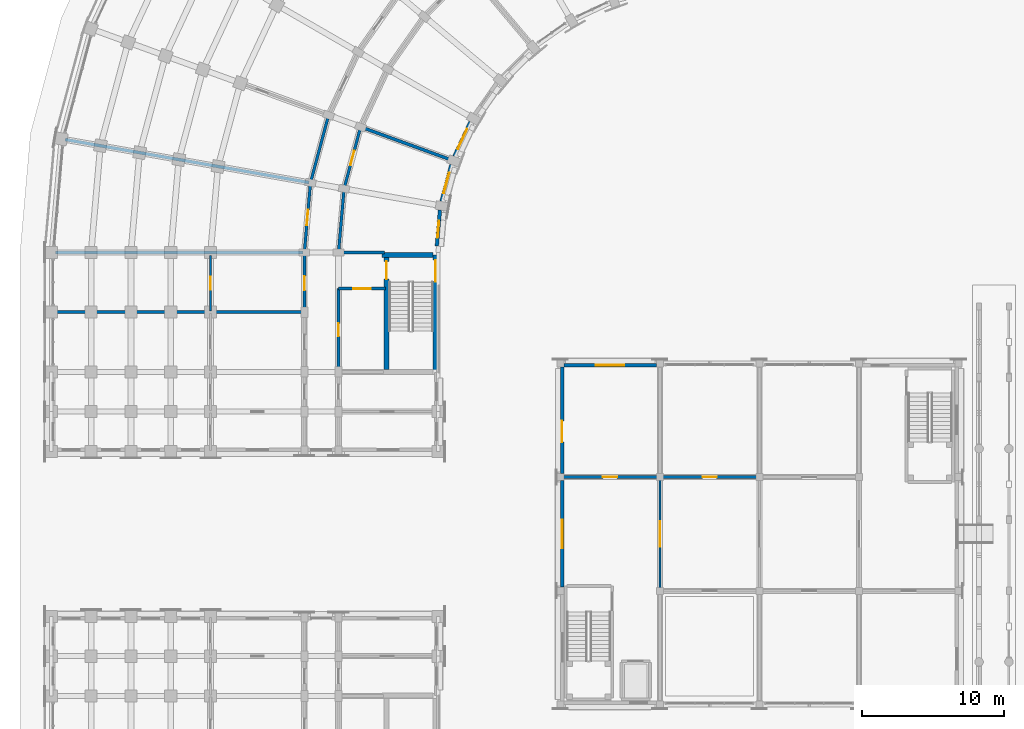
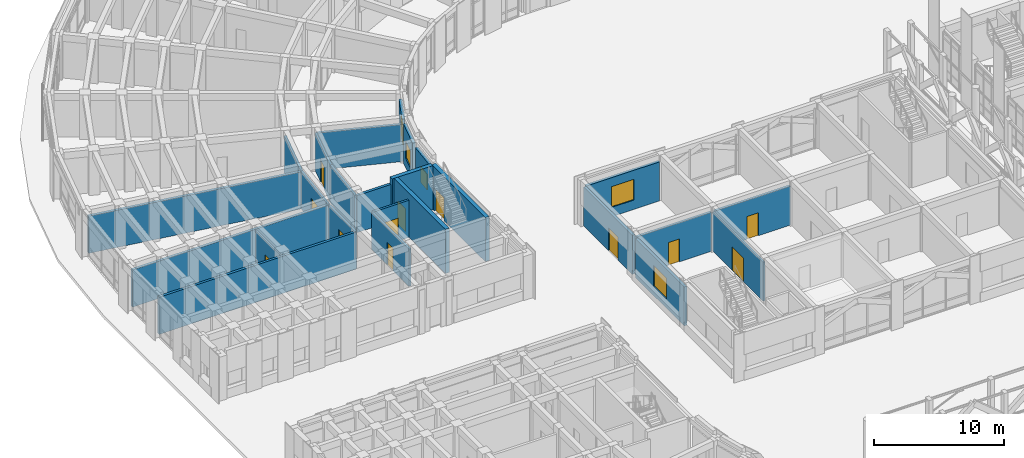
# One storey, part 98 of 135: 25 walls, 12 doors, 5 windows, 17 openings.
"""IFC4 building model written with IfcOpenShell, lengths in metres."""

from ifc_helpers import new_model, si_unit, direction, frame, frame_2d, origin, place, context, subcontext, project, spatial, rectangle, extrude, material, layer, layer_set, type_object, element, fill, save


model = new_model("IFC4")

# Units and contexts
model_context = context("Model", 3, precision=1e-05, world=origin(), true_north=direction((0.0, 1.0)))
body_context = subcontext(model_context, "Body", "Model", "MODEL_VIEW")
ifc_project = project(units=[si_unit("LENGTHUNIT", "METRE"), si_unit("AREAUNIT", "SQUARE_METRE"), si_unit("VOLUMEUNIT", "CUBIC_METRE"), si_unit("PLANEANGLEUNIT", "RADIAN"), si_unit("MASSUNIT", "GRAM", prefix="KILO")], contexts=[model_context])

# Site, building, storey
site_placement = place(None, origin())
site = spatial("IfcSite", under=ifc_project, at=site_placement, CompositionType="ELEMENT")
building_placement = place(site_placement, origin())
building = spatial("IfcBuilding", under=site, at=building_placement, Name="Kiranvali Square Residences", CompositionType="ELEMENT")
storey_placement = place(building_placement, origin())
storey = spatial("IfcBuildingStorey", under=building, at=storey_placement, Name="L00", CompositionType="ELEMENT", Elevation=0.0)

# Wall, opening, door
ifc_material_1 = material(Name="Autoclaved aerated concrete blockwork masonry", Category="masonry")
ifc_layer_1 = layer(ifc_material_1, 0.199951171875)
ifc_layer_set_1 = layer_set([ifc_layer_1], Name="Autoclaved aerated concrete blockwork masonry")
wall_type_1 = type_object("IfcWallType", Name="WL-COR-200", PredefinedType="STANDARD", material=ifc_layer_set_1)
wall_1_placement = place(storey_placement, frame((25.699951171875, 85.25, 0.0), z_axis=(0.0, 0.0, 1.0), x_axis=(-1.0, 0.0, 0.0)))
wall_1 = element("IfcWall", 1, at=wall_1_placement, inside=storey, type_object=wall_type_1, Name="L00 architectural wall WL-L00-A-S3-V", PredefinedType="STANDARD", context=body_context, shape_type="SweptSolid", body=[
    extrude(rectangle(XDim=3.300048828125, YDim=0.199951171875, at=frame_2d((1.64990234375, 0.0))), origin(), (0.0, 0.0, 1.0), 3.491943359375),
])
opening_1_placement = place(wall_1_placement, frame((1.0400390625, 0.0, 0.0)))
opening_1 = element("IfcOpeningElement", 2, at=opening_1_placement, cuts=wall_1, Name="Opening FD-COR-60", PredefinedType="OPENING", context=body_context, shape_type="SweptSolid", body=[
    extrude(rectangle(XDim=1.219970703125, YDim=2.14990234375, at=frame_2d((0.60986328125, 1.074951171875))), frame((0.0, 0.10986328125, 0.0), z_axis=(0.0, -1.0, 0.0), x_axis=(1.0, 0.0, 0.0)), (0.0, 0.0, 1.0), 0.219970703125),
])
ifc_material_2 = material(Name="Fire-rated acoustic hardwood and mineral-core door assembly", Category="wood")
door_type_1 = type_object("IfcDoorType", Name="DR-FD60-1200", OperationType="NOTDEFINED", PredefinedType="DOOR", material=ifc_material_2)
door_1_placement = place(opening_1_placement, frame((1.219970703125, 0.0, 0.0), z_axis=(0.0, 0.0, 1.0), x_axis=(-1.0, 0.0, 0.0)))
door_1 = element("IfcDoor", 3, at=door_1_placement, inside=storey, type_object=door_type_1, Name="L00 door DR-L00-0054 (DR-FD60-1200)", OperationType="SINGLE_SWING_RIGHT", OverallHeight=2.14990234375, OverallWidth=1.219970703125, PredefinedType="DOOR", context=body_context, shape_type="SweptSolid", body=[
    extrude(rectangle(XDim=1.219970703125, YDim=2.14990234375, at=frame_2d((0.60986328125, 1.074951171875))), frame((0.0, 0.02490234375, 0.0), z_axis=(0.0, -1.0, 0.0), x_axis=(1.0, 0.0, 0.0)), (0.0, 0.0, 1.0), 0.050048828125),
])
fill(opening_1, door_1)

wall_2_placement = place(storey_placement, frame((22.39990234375, 85.25, 0.0), z_axis=(0.0, 0.0, 1.0), x_axis=(0.0, -1.0, 0.0)))
wall_2 = element("IfcWall", 4, at=wall_2_placement, inside=storey, type_object=wall_type_1, Name="L00 architectural wall WL-L00-A-S3-COR", PredefinedType="STANDARD", context=body_context, shape_type="SweptSolid", body=[
    extrude(rectangle(XDim=5.800048828125, YDim=0.199951171875, at=frame_2d((2.89990234375, 0.0))), origin(), (0.0, 0.0, 1.0), 3.491943359375),
])
opening_2_placement = place(wall_2_placement, frame((2.43994140625, 0.0, 0.0)))
opening_2 = element("IfcOpeningElement", 5, at=opening_2_placement, cuts=wall_2, Name="Opening FD-SVC-120", PredefinedType="OPENING", context=body_context, shape_type="SweptSolid", body=[
    extrude(rectangle(XDim=0.919921875, YDim=2.10009765625, at=frame_2d((0.4599609375, 1.050048828125))), frame((0.0, 0.10986328125, 0.0), z_axis=(0.0, -1.0, 0.0), x_axis=(1.0, 0.0, 0.0)), (0.0, 0.0, 1.0), 0.219970703125),
])
door_type_2 = type_object("IfcDoorType", Name="DR-SVC-900", OperationType="NOTDEFINED", PredefinedType="DOOR", material=ifc_material_2)
door_2_placement = place(opening_2_placement, origin())
door_2 = element("IfcDoor", 6, at=door_2_placement, inside=storey, type_object=door_type_2, Name="L00 door DR-L00-0055 (DR-SVC-900)", OperationType="SINGLE_SWING_LEFT", OverallHeight=2.10009765625, OverallWidth=0.919921875, PredefinedType="DOOR", context=body_context, shape_type="SweptSolid", body=[
    extrude(rectangle(XDim=0.919921875, YDim=2.10009765625, at=frame_2d((0.4599609375, 1.050048828125))), frame((0.0, 0.02490234375, 0.0), z_axis=(0.0, -1.0, 0.0), x_axis=(1.0, 0.0, 0.0)), (0.0, 0.0, 1.0), 0.050048828125),
])
fill(opening_2, door_2)

wall_3_placement = place(storey_placement, frame((23.955810546875, 96.6240234375, 0.0), z_axis=(0.0, 0.0, 1.0), x_axis=(-0.258787642463, -0.965934240054, 0.0)))
wall_3 = element("IfcWall", 7, at=wall_3_placement, inside=storey, type_object=wall_type_1, Name="L00 architectural wall WL-L00-A-CCI-7", PredefinedType="STANDARD", context=body_context, shape_type="SweptSolid", body=[
    extrude(rectangle(XDim=4.497314453125, YDim=0.199951171875, at=frame_2d((2.24853515625, 0.0))), origin(), (0.0, 0.0, 1.0), 3.491943359375),
])
opening_3_placement = place(wall_3_placement, frame((1.728515625, 0.0, 0.0)))
opening_3 = element("IfcOpeningElement", 8, at=opening_3_placement, cuts=wall_3, Name="Opening FD-APT-60B", PredefinedType="OPENING", context=body_context, shape_type="SweptSolid", body=[
    extrude(rectangle(XDim=1.0400390625, YDim=2.14990234375, at=frame_2d((0.52001953125, 1.074951171875))), frame((0.0, 0.10986328125, 0.0), z_axis=(0.0, -1.0, 0.0), x_axis=(1.0, 0.0, 0.0)), (0.0, 0.0, 1.0), 0.219970703125),
])
door_type_3 = type_object("IfcDoorType", Name="DR-APT-1040", OperationType="NOTDEFINED", PredefinedType="DOOR", material=ifc_material_2)
door_3_placement = place(opening_3_placement, origin())
door_3 = element("IfcDoor", 9, at=door_3_placement, inside=storey, type_object=door_type_3, Name="L00 door DR-L00-0085 (DR-APT-1040)", OperationType="SINGLE_SWING_LEFT", OverallHeight=2.14990234375, OverallWidth=1.0400390625, PredefinedType="DOOR", context=body_context, shape_type="SweptSolid", body=[
    extrude(rectangle(XDim=1.0400390625, YDim=2.14990234375, at=frame_2d((0.52001953125, 1.074951171875))), frame((0.0, 0.02490234375, 0.0), z_axis=(0.0, -1.0, 0.0), x_axis=(1.0, 0.0, 0.0)), (0.0, 0.0, 1.0), 0.050048828125),
])
fill(opening_3, door_3)

# Walls
wall_4_placement = place(storey_placement, frame((21.70068359375, 97.445068359375, 0.0), z_axis=(0.0, 0.0, 1.0), x_axis=(-0.258803112091, -0.965930095386, 0.0)))
element("IfcWall", 10, at=wall_4_placement, inside=storey, type_object=wall_type_1, Name="L00 architectural wall WL-L00-A-CCO-7", PredefinedType="STANDARD", context=body_context, shape_type="SweptSolid", body=[
    extrude(rectangle(XDim=4.915771484375, YDim=0.199951171875, at=frame_2d((2.4580078125, 0.0))), origin(), (0.0, 0.0, 1.0), 3.491943359375),
])
wall_5_placement = place(storey_placement, frame((22.7919921875, 92.280029296875, 0.0), z_axis=(0.0, 0.0, 1.0), x_axis=(-0.087187153726, -0.996191949488, 0.0)))
element("IfcWall", 11, at=wall_5_placement, inside=storey, type_object=wall_type_1, Name="L00 architectural wall WL-L00-A-CCI-8", PredefinedType="STANDARD", context=body_context, shape_type="SweptSolid", body=[
    extrude(rectangle(XDim=4.4970703125, YDim=0.199951171875, at=frame_2d((2.24853515625, 0.0))), origin(), (0.0, 0.0, 1.0), 3.491943359375),
])

# Wall, opening, door
wall_6_placement = place(storey_placement, frame((20.428466796875, 92.69677734375, 0.0), z_axis=(0.0, 0.0, 1.0), x_axis=(-0.087167566415, -0.996193663584, 0.0)))
wall_6 = element("IfcWall", 12, at=wall_6_placement, inside=storey, type_object=wall_type_1, Name="L00 architectural wall WL-L00-A-CCO-8", PredefinedType="STANDARD", context=body_context, shape_type="SweptSolid", body=[
    extrude(rectangle(XDim=4.91552734375, YDim=0.199951171875, at=frame_2d((2.457763671875, 0.0))), origin(), (0.0, 0.0, 1.0), 3.491943359375),
])
opening_4_placement = place(wall_6_placement, frame((1.917724609375, 0.0, 0.0)))
opening_4 = element("IfcOpeningElement", 13, at=opening_4_placement, cuts=wall_6, Name="Opening FD-APT-60C", PredefinedType="OPENING", context=body_context, shape_type="SweptSolid", body=[
    extrude(rectangle(XDim=1.080078125, YDim=2.14990234375, at=frame_2d((0.5400390625, 1.074951171875))), frame((0.0, 0.10986328125, 0.0), z_axis=(0.0, -1.0, 0.0), x_axis=(1.0, 0.0, 0.0)), (0.0, 0.0, 1.0), 0.219970703125),
])
door_type_4 = type_object("IfcDoorType", Name="DR-APT-1080", OperationType="NOTDEFINED", PredefinedType="DOOR", material=ifc_material_2)
door_4_placement = place(opening_4_placement, origin())
door_4 = element("IfcDoor", 14, at=door_4_placement, inside=storey, type_object=door_type_4, Name="L00 door DR-L00-0081 (DR-APT-1080)", OperationType="SINGLE_SWING_LEFT", OverallHeight=2.14990234375, OverallWidth=1.080078125, PredefinedType="DOOR", context=body_context, shape_type="SweptSolid", body=[
    extrude(rectangle(XDim=1.080078125, YDim=2.14990234375, at=frame_2d((0.5400390625, 1.074951171875))), frame((0.0, 0.02490234375, 0.0), z_axis=(0.0, -1.0, 0.0), x_axis=(1.0, 0.0, 0.0)), (0.0, 0.0, 1.0), 0.050048828125),
])
fill(opening_4, door_4)

wall_7_placement = place(storey_placement, frame((20.0, 87.64990234375, 0.0), z_axis=(0.0, 0.0, 1.0), x_axis=(0.0, -1.0, 0.0)))
wall_7 = element("IfcWall", 15, at=wall_7_placement, inside=storey, type_object=wall_type_1, Name="L00 architectural wall WL-L00-A-A2CF-C0", PredefinedType="STANDARD", context=body_context, shape_type="SweptSolid", body=[
    extrude(rectangle(XDim=4.0498046875, YDim=0.199951171875, at=frame_2d((2.02490234375, 0.0))), origin(), (0.0, 0.0, 1.0), 3.491943359375),
])
opening_5_placement = place(wall_7_placement, frame((1.52490234375, 0.0, 0.0)))
opening_5 = element("IfcOpeningElement", 16, at=opening_5_placement, cuts=wall_7, Name="Opening FD-APT-60", PredefinedType="OPENING", context=body_context, shape_type="SweptSolid", body=[
    extrude(rectangle(XDim=1.0, YDim=2.14990234375, at=frame_2d((0.5, 1.074951171875))), frame((0.0, 0.10986328125, 0.0), z_axis=(0.0, -1.0, 0.0), x_axis=(1.0, 0.0, 0.0)), (0.0, 0.0, 1.0), 0.219970703125),
])
door_type_5 = type_object("IfcDoorType", Name="DR-APT-1000", OperationType="NOTDEFINED", PredefinedType="DOOR", material=ifc_material_2)
door_5_placement = place(opening_5_placement, frame((1.0, 0.0, 0.0), z_axis=(0.0, 0.0, 1.0), x_axis=(-1.0, 0.0, 0.0)))
door_5 = element("IfcDoor", 17, at=door_5_placement, inside=storey, type_object=door_type_5, Name="L00 door DR-L00-0086 (DR-APT-1000)", OperationType="SINGLE_SWING_RIGHT", OverallHeight=2.14990234375, OverallWidth=1.0, PredefinedType="DOOR", context=body_context, shape_type="SweptSolid", body=[
    extrude(rectangle(XDim=1.0, YDim=2.14990234375, at=frame_2d((0.5, 1.074951171875))), frame((0.0, 0.02490234375, 0.0), z_axis=(0.0, -1.0, 0.0), x_axis=(1.0, 0.0, 0.0)), (0.0, 0.0, 1.0), 0.050048828125),
])
fill(opening_5, door_5)

wall_8_placement = place(storey_placement, frame((38.14990234375, 72.0, 0.0), z_axis=(0.0, 0.0, 1.0), x_axis=(1.0, 0.0, 0.0)))
wall_8 = element("IfcWall", 18, at=wall_8_placement, inside=storey, type_object=wall_type_1, Name="L00 architectural wall WL-NR-L00-Y1-0", PredefinedType="STANDARD", context=body_context, shape_type="SweptSolid", body=[
    extrude(rectangle(XDim=6.7001953125, YDim=0.199951171875, at=frame_2d((3.35009765625, 0.0))), origin(), (0.0, 0.0, 1.0), 3.672119140625),
])
opening_6_placement = place(wall_8_placement, frame((2.85009765625, 0.0, 0.0)))
opening_6 = element("IfcOpeningElement", 19, at=opening_6_placement, cuts=wall_8, Name="Opening FD-APT-60", PredefinedType="OPENING", context=body_context, shape_type="SweptSolid", body=[
    extrude(rectangle(XDim=1.0, YDim=2.14990234375, at=frame_2d((0.5, 1.074951171875))), frame((0.0, 0.10986328125, 0.0), z_axis=(0.0, -1.0, 0.0), x_axis=(1.0, 0.0, 0.0)), (0.0, 0.0, 1.0), 0.219970703125),
])
door_6_placement = place(opening_6_placement, origin())
door_6 = element("IfcDoor", 20, at=door_6_placement, inside=storey, type_object=door_type_5, Name="L00 door DR-L00-2313 (DR-APT-1000)", OperationType="SINGLE_SWING_LEFT", OverallHeight=2.14990234375, OverallWidth=1.0, PredefinedType="DOOR", context=body_context, shape_type="SweptSolid", body=[
    extrude(rectangle(XDim=1.0, YDim=2.14990234375, at=frame_2d((0.5, 1.074951171875))), frame((0.0, 0.02490234375, 0.0), z_axis=(0.0, -1.0, 0.0), x_axis=(1.0, 0.0, 0.0)), (0.0, 0.0, 1.0), 0.050048828125),
])
fill(opening_6, door_6)

wall_9_placement = place(storey_placement, frame((45.14990234375, 72.0, 0.0), z_axis=(0.0, 0.0, 1.0), x_axis=(1.0, 0.0, 0.0)))
wall_9 = element("IfcWall", 21, at=wall_9_placement, inside=storey, type_object=wall_type_1, Name="L00 architectural wall WL-NR-L00-Y1-1", PredefinedType="STANDARD", context=body_context, shape_type="SweptSolid", body=[
    extrude(rectangle(XDim=6.7001953125, YDim=0.199951171875, at=frame_2d((3.35009765625, 0.0))), origin(), (0.0, 0.0, 1.0), 3.672119140625),
])
opening_7_placement = place(wall_9_placement, frame((2.85009765625, 0.0, 0.0)))
opening_7 = element("IfcOpeningElement", 22, at=opening_7_placement, cuts=wall_9, Name="Opening FD-APT-60", PredefinedType="OPENING", context=body_context, shape_type="SweptSolid", body=[
    extrude(rectangle(XDim=1.0, YDim=2.14990234375, at=frame_2d((0.5, 1.074951171875))), frame((0.0, 0.10986328125, 0.0), z_axis=(0.0, -1.0, 0.0), x_axis=(1.0, 0.0, 0.0)), (0.0, 0.0, 1.0), 0.219970703125),
])
door_7_placement = place(opening_7_placement, frame((1.0, 0.0, 0.0), z_axis=(0.0, 0.0, 1.0), x_axis=(-1.0, 0.0, 0.0)))
door_7 = element("IfcDoor", 23, at=door_7_placement, inside=storey, type_object=door_type_5, Name="L00 door DR-L00-2314 (DR-APT-1000)", OperationType="SINGLE_SWING_RIGHT", OverallHeight=2.14990234375, OverallWidth=1.0, PredefinedType="DOOR", context=body_context, shape_type="SweptSolid", body=[
    extrude(rectangle(XDim=1.0, YDim=2.14990234375, at=frame_2d((0.5, 1.074951171875))), frame((0.0, 0.02490234375, 0.0), z_axis=(0.0, -1.0, 0.0), x_axis=(1.0, 0.0, 0.0)), (0.0, 0.0, 1.0), 0.050048828125),
])
fill(opening_7, door_7)

# Walls
ifc_layer_2 = layer(ifc_material_1, 0.219970703125)
ifc_layer_set_2 = layer_set([ifc_layer_2], Name="Autoclaved aerated concrete blockwork masonry")
wall_type_2 = type_object("IfcWallType", Name="WL-DEM-220", PredefinedType="STANDARD", material=ifc_layer_set_2)
wall_10_placement = place(storey_placement, frame((30.345947265625, 94.29833984375, 0.0), z_axis=(0.0, 0.0, 1.0), x_axis=(-0.939696231917, 0.342010221662, 0.0)))
element("IfcWall", 24, at=wall_10_placement, inside=storey, type_object=wall_type_2, Name="L00 architectural wall WL-L00-A-RADI-7", PredefinedType="STANDARD", context=body_context, shape_type="SweptSolid", body=[
    extrude(rectangle(XDim=6.75, YDim=0.219970703125, at=frame_2d((3.375, 0.0))), origin(), (0.0, 0.0, 1.0), 3.491943359375),
])
wall_11_placement = place(storey_placement, frame((25.64990234375, 87.800048828125, 0.0), z_axis=(0.0, 0.0, 1.0), x_axis=(-1.0, 0.0, 0.0)))
element("IfcWall", 25, at=wall_11_placement, inside=storey, type_object=wall_type_2, Name="L00 architectural wall WL-L00-A-RADI-9", PredefinedType="STANDARD", context=body_context, shape_type="SweptSolid", body=[
    extrude(rectangle(XDim=3.199951171875, YDim=0.219970703125, at=frame_2d((1.60009765625, 0.0))), origin(), (0.0, 0.0, 1.0), 3.491943359375),
])
wall_12_placement = place(storey_placement, frame((19.949951171875, 83.60009765625, 0.0), z_axis=(0.0, 0.0, 1.0), x_axis=(-1.0, 0.0, 0.0)))
element("IfcWall", 26, at=wall_12_placement, inside=storey, type_object=wall_type_2, Name="L00 architectural wall WL-L00-A-A2CF-MID", PredefinedType="STANDARD", context=body_context, shape_type="SweptSolid", body=[
    extrude(rectangle(XDim=17.530029296875, YDim=0.219970703125, at=frame_2d((8.76513671875, 0.0))), origin(), (0.0, 0.0, 1.0), 3.491943359375),
])
ifc_layer_3 = layer(ifc_material_1, 0.22998046875)
ifc_layer_set_3 = layer_set([ifc_layer_3], Name="Autoclaved aerated concrete blockwork masonry")
wall_type_3 = type_object("IfcWallType", Name="WL-DEM-230", PredefinedType="STANDARD", material=ifc_layer_set_3)
for number, where, z_axis, x_axis, name in (
    (27, (20.329833984375, 92.71435546875, 0.0), (0.0, 0.0, 1.0), (-0.984808098809, 0.173646216546, 0.0), "L00 architectural wall WL-L00-A-RADO-8"),
    (28, (19.89990234375, 87.800048828125, 0.0), (0.0, 0.0, 1.0), (-1.0, 0.0, 0.0), "L00 architectural wall WL-L00-A-RADO-9"),
):
    element("IfcWall", number, at=place(storey_placement, frame(where, z_axis=z_axis, x_axis=x_axis)), inside=storey, type_object=wall_type_3, Name=name, PredefinedType="STANDARD", context=body_context, shape_type="SweptSolid", body=[
        extrude(rectangle(XDim=17.419921875, YDim=0.22998046875, at=frame_2d((8.7099609375, 0.0))), origin(), (0.0, 0.0, 1.0), 3.491943359375),
    ])

# Wall, opening, window
ifc_material_3 = material(Name="Breathable lime-rendered clay brick masonry", Category="masonry")
ifc_layer_4 = layer(ifc_material_3, 0.25)
ifc_layer_set_4 = layer_set([ifc_layer_4], Name="Breathable lime-rendered clay brick masonry")
wall_type_4 = type_object("IfcWallType", Name="WL-EXT-250", PredefinedType="STANDARD", material=ifc_layer_set_4)
wall_13_placement = place(storey_placement, frame((31.677001953125, 96.9775390625, 0.0), z_axis=(0.0, 0.0, 1.0), x_axis=(-0.422610081738, -0.90631160139, 0.0)))
wall_13 = element("IfcWall", 29, at=wall_13_placement, inside=storey, type_object=wall_type_4, Name="L00 exterior wall A-L00-GDN-06", PredefinedType="STANDARD", context=body_context, shape_type="SweptSolid", body=[
    extrude(rectangle(XDim=2.66943359375, YDim=0.25, at=frame_2d((1.334716796875, 0.0))), origin(), (0.0, 0.0, 1.0), 3.69189453125),
])
opening_8_placement = place(wall_13_placement, frame((0.559814453125, 0.0, 0.8798828125)))
opening_8 = element("IfcOpeningElement", 30, at=opening_8_placement, cuts=wall_13, Name="Opening W-18", PredefinedType="OPENING", context=body_context, shape_type="SweptSolid", body=[
    extrude(rectangle(XDim=1.550048828125, YDim=1.60009765625, at=frame_2d((0.77490234375, 0.800048828125))), frame((0.0, 0.135009765625, 0.0), z_axis=(0.0, -1.0, 0.0), x_axis=(1.0, 0.0, 0.0)), (0.0, 0.0, 1.0), 0.27001953125),
])
ifc_material_4 = material(Name="Solar-control low-e double glazing", Category="glass")
window_type_1 = type_object("IfcWindowType", Name="WIN-GDN-1550x1600", PartitioningType="DOUBLE_PANEL_VERTICAL", PredefinedType="WINDOW", material=ifc_material_4)
window_1_placement = place(opening_8_placement, origin())
window_1 = element("IfcWindow", 31, at=window_1_placement, inside=storey, type_object=window_type_1, Name="L00 recessed window A-L00-GDN-06", OverallHeight=1.60009765625, OverallWidth=1.550048828125, PartitioningType="DOUBLE_PANEL_VERTICAL", PredefinedType="WINDOW", context=body_context, shape_type="SweptSolid", body=[
    extrude(rectangle(XDim=1.550048828125, YDim=1.60009765625, at=frame_2d((0.77490234375, 0.800048828125))), frame((0.0, 0.030029296875, 0.0), z_axis=(0.0, -1.0, 0.0), x_axis=(1.0, 0.0, 0.0)), (0.0, 0.0, 1.0), 0.06005859375),
])
fill(opening_8, window_1)

wall_14_placement = place(storey_placement, frame((30.33447265625, 93.968994140625, 0.0), z_axis=(0.0, 0.0, 1.0), x_axis=(-0.258812272661, -0.965927640934, 0.0)))
wall_14 = element("IfcWall", 32, at=wall_14_placement, inside=storey, type_object=wall_type_4, Name="L00 exterior wall A-L00-GDN-07", PredefinedType="STANDARD", context=body_context, shape_type="SweptSolid", body=[
    extrude(rectangle(XDim=2.669677734375, YDim=0.25, at=frame_2d((1.3349609375, 0.0))), origin(), (0.0, 0.0, 1.0), 3.69189453125),
])
opening_9_placement = place(wall_14_placement, frame((0.584716796875, 0.0, 0.8798828125)))
opening_9 = element("IfcOpeningElement", 33, at=opening_9_placement, cuts=wall_14, Name="Opening W-05", PredefinedType="OPENING", context=body_context, shape_type="SweptSolid", body=[
    extrude(rectangle(XDim=1.5, YDim=1.64990234375, at=frame_2d((0.75, 0.824951171875))), frame((0.0, 0.135009765625, 0.0), z_axis=(0.0, -1.0, 0.0), x_axis=(1.0, 0.0, 0.0)), (0.0, 0.0, 1.0), 0.27001953125),
])
window_type_2 = type_object("IfcWindowType", Name="WIN-RES-1500x1650", PartitioningType="DOUBLE_PANEL_VERTICAL", PredefinedType="WINDOW", material=ifc_material_4)
window_2_placement = place(opening_9_placement, origin())
window_2 = element("IfcWindow", 34, at=window_2_placement, inside=storey, type_object=window_type_2, Name="L00 recessed window A-L00-GDN-07", OverallHeight=1.64990234375, OverallWidth=1.5, PartitioningType="DOUBLE_PANEL_VERTICAL", PredefinedType="WINDOW", context=body_context, shape_type="SweptSolid", body=[
    extrude(rectangle(XDim=1.5, YDim=1.64990234375, at=frame_2d((0.75, 0.824951171875))), frame((0.0, 0.030029296875, 0.0), z_axis=(0.0, -1.0, 0.0), x_axis=(1.0, 0.0, 0.0)), (0.0, 0.0, 1.0), 0.06005859375),
])
fill(opening_9, window_2)

wall_15_placement = place(storey_placement, frame((29.53466796875, 90.77294921875, 0.0), z_axis=(0.0, 0.0, 1.0), x_axis=(-0.087215965161, -0.996189427479, 0.0)))
wall_15 = element("IfcWall", 35, at=wall_15_placement, inside=storey, type_object=wall_type_4, Name="L00 exterior wall A-L00-GDN-08", PredefinedType="STANDARD", context=body_context, shape_type="SweptSolid", body=[
    extrude(rectangle(XDim=2.533447265625, YDim=0.25, at=frame_2d((1.2666015625, 0.0))), origin(), (0.0, 0.0, 1.0), 3.69189453125),
])
opening_10_placement = place(wall_15_placement, frame((0.73486328125, 0.0, 0.8798828125)))
opening_10 = element("IfcOpeningElement", 36, at=opening_10_placement, cuts=wall_15, Name="Opening W-06", PredefinedType="OPENING", context=body_context, shape_type="SweptSolid", body=[
    extrude(rectangle(XDim=1.199951171875, YDim=1.5, at=frame_2d((0.60009765625, 0.75))), frame((0.0, 0.135009765625, 0.0), z_axis=(0.0, -1.0, 0.0), x_axis=(1.0, 0.0, 0.0)), (0.0, 0.0, 1.0), 0.27001953125),
])
window_type_3 = type_object("IfcWindowType", Name="WIN-RES-1200x1500", PartitioningType="SINGLE_PANEL", PredefinedType="WINDOW", material=ifc_material_4)
window_3_placement = place(opening_10_placement, origin())
window_3 = element("IfcWindow", 37, at=window_3_placement, inside=storey, type_object=window_type_3, Name="L00 recessed window A-L00-GDN-08", OverallHeight=1.5, OverallWidth=1.199951171875, PartitioningType="SINGLE_PANEL", PredefinedType="WINDOW", context=body_context, shape_type="SweptSolid", body=[
    extrude(rectangle(XDim=1.199951171875, YDim=1.5, at=frame_2d((0.60009765625, 0.75))), frame((0.0, 0.030029296875, 0.0), z_axis=(0.0, -1.0, 0.0), x_axis=(1.0, 0.0, 0.0)), (0.0, 0.0, 1.0), 0.06005859375),
])
fill(opening_10, window_3)

wall_16_placement = place(storey_placement, frame((38.25341796875, 79.875, 0.0), z_axis=(0.0, 0.0, 1.0), x_axis=(1.0, 0.0, 0.0)))
wall_16 = element("IfcWall", 38, at=wall_16_placement, inside=storey, type_object=wall_type_4, Name="L00 exterior wall NR-L00-N-0", PredefinedType="STANDARD", context=body_context, shape_type="SweptSolid", body=[
    extrude(rectangle(XDim=6.4931640625, YDim=0.25, at=frame_2d((3.24658203125, 0.0))), origin(), (0.0, 0.0, 1.0), 3.672119140625),
])
opening_11_placement = place(wall_16_placement, frame((2.24658203125, 0.0, 0.8798828125)))
opening_11 = element("IfcOpeningElement", 39, at=opening_11_placement, cuts=wall_16, Name="Opening W-08", PredefinedType="OPENING", context=body_context, shape_type="SweptSolid", body=[
    extrude(rectangle(XDim=2.0, YDim=1.949951171875, at=frame_2d((1.0, 0.97509765625))), frame((0.0, 0.135009765625, 0.0), z_axis=(0.0, -1.0, 0.0), x_axis=(1.0, 0.0, 0.0)), (0.0, 0.0, 1.0), 0.27001953125),
])
window_type_4 = type_object("IfcWindowType", Name="WIN-PAV-2000x1950", PartitioningType="TRIPLE_PANEL_VERTICAL", PredefinedType="WINDOW", material=ifc_material_4)
window_4_placement = place(opening_11_placement, origin())
window_4 = element("IfcWindow", 40, at=window_4_placement, inside=storey, type_object=window_type_4, Name="L00 recessed window NR-L00-N-0", OverallHeight=1.949951171875, OverallWidth=2.0, PartitioningType="TRIPLE_PANEL_VERTICAL", PredefinedType="WINDOW", context=body_context, shape_type="SweptSolid", body=[
    extrude(rectangle(XDim=2.0, YDim=1.949951171875, at=frame_2d((1.0, 0.97509765625))), frame((0.0, 0.030029296875, 0.0), z_axis=(0.0, -1.0, 0.0), x_axis=(1.0, 0.0, 0.0)), (0.0, 0.0, 1.0), 0.06005859375),
])
fill(opening_11, window_4)

wall_17_placement = place(storey_placement, frame((38.125, 64.25341796875, 0.0), z_axis=(0.0, 0.0, 1.0), x_axis=(0.0, 1.0, 0.0)))
wall_17 = element("IfcWall", 41, at=wall_17_placement, inside=storey, type_object=wall_type_4, Name="L00 exterior wall NR-L00-W-1", PredefinedType="STANDARD", context=body_context, shape_type="SweptSolid", body=[
    extrude(rectangle(XDim=7.4931640625, YDim=0.25, at=frame_2d((3.74658203125, 0.0))), origin(), (0.0, 0.0, 1.0), 3.672119140625),
])
opening_12_placement = place(wall_17_placement, frame((2.74658203125, 0.0, 0.8798828125)))
opening_12 = element("IfcOpeningElement", 42, at=opening_12_placement, cuts=wall_17, Name="Opening W-08", PredefinedType="OPENING", context=body_context, shape_type="SweptSolid", body=[
    extrude(rectangle(XDim=2.0, YDim=1.949951171875, at=frame_2d((1.0, 0.97509765625))), frame((0.0, 0.135009765625, 0.0), z_axis=(0.0, -1.0, 0.0), x_axis=(1.0, 0.0, 0.0)), (0.0, 0.0, 1.0), 0.27001953125),
])
window_5_placement = place(opening_12_placement, origin())
window_5 = element("IfcWindow", 43, at=window_5_placement, inside=storey, type_object=window_type_4, Name="L00 recessed window NR-L00-W-1", OverallHeight=1.949951171875, OverallWidth=2.0, PartitioningType="TRIPLE_PANEL_VERTICAL", PredefinedType="WINDOW", context=body_context, shape_type="SweptSolid", body=[
    extrude(rectangle(XDim=2.0, YDim=1.949951171875, at=frame_2d((1.0, 0.97509765625))), frame((0.0, 0.030029296875, 0.0), z_axis=(0.0, -1.0, 0.0), x_axis=(1.0, 0.0, 0.0)), (0.0, 0.0, 1.0), 0.06005859375),
])
fill(opening_12, window_5)

# Wall, opening, door
wall_18_placement = place(storey_placement, frame((38.125, 72.25341796875, 0.0), z_axis=(0.0, 0.0, 1.0), x_axis=(0.0, 1.0, 0.0)))
wall_18 = element("IfcWall", 44, at=wall_18_placement, inside=storey, type_object=wall_type_4, Name="L00 exterior wall NR-L00-W-2", PredefinedType="STANDARD", context=body_context, shape_type="SweptSolid", body=[
    extrude(rectangle(XDim=7.4931640625, YDim=0.25, at=frame_2d((3.74658203125, 0.0))), origin(), (0.0, 0.0, 1.0), 3.672119140625),
])
opening_13_placement = place(wall_18_placement, frame((2.199951171875, 0.0, 0.0)))
opening_13 = element("IfcOpeningElement", 45, at=opening_13_placement, cuts=wall_18, Name="Opening ED-EX-150", PredefinedType="OPENING", context=body_context, shape_type="SweptSolid", body=[
    extrude(rectangle(XDim=1.5, YDim=2.14990234375, at=frame_2d((0.75, 1.074951171875))), frame((0.0, 0.135009765625, 0.0), z_axis=(0.0, -1.0, 0.0), x_axis=(1.0, 0.0, 0.0)), (0.0, 0.0, 1.0), 0.27001953125),
])
door_type_6 = type_object("IfcDoorType", Name="DR-EXIT-1500", OperationType="NOTDEFINED", PredefinedType="DOOR", material=ifc_material_2)
door_8_placement = place(opening_13_placement, origin())
door_8 = element("IfcDoor", 46, at=door_8_placement, inside=storey, type_object=door_type_6, Name="NR pavilion ground final exit door", OperationType="SINGLE_SWING_RIGHT", OverallHeight=2.14990234375, OverallWidth=1.5, PredefinedType="DOOR", context=body_context, shape_type="SweptSolid", body=[
    extrude(rectangle(XDim=1.5, YDim=2.14990234375, at=frame_2d((0.75, 1.074951171875))), frame((0.0, 0.02490234375, 0.0), z_axis=(0.0, -1.0, 0.0), x_axis=(1.0, 0.0, 0.0)), (0.0, 0.0, 1.0), 0.050048828125),
])
fill(opening_13, door_8)

ifc_material_5 = material(Name="Acoustic gypsum board drylined partition", Category="gypsum")
ifc_layer_5 = layer(ifc_material_5, 0.14990234375)
ifc_layer_set_5 = layer_set([ifc_layer_5], Name="Acoustic gypsum board drylined partition")
wall_type_5 = type_object("IfcWallType", Name="WL-PRT-150", PredefinedType="PARTITIONING", material=ifc_layer_set_5)
wall_19_placement = place(storey_placement, frame((13.39990234375, 87.570068359375, 0.0), z_axis=(0.0, 0.0, 1.0), x_axis=(0.0, -1.0, 0.0)))
wall_19 = element("IfcWall", 47, at=wall_19_placement, inside=storey, type_object=wall_type_5, Name="L00 architectural wall WL-L00-A-A2CF-SP0", PredefinedType="PARTITIONING", context=body_context, shape_type="SweptSolid", body=[
    extrude(rectangle(XDim=3.89013671875, YDim=0.14990234375, at=frame_2d((1.945068359375, 0.0))), origin(), (0.0, 0.0, 1.0), 3.491943359375),
])
opening_14_placement = place(wall_19_placement, frame((1.4951171875, 0.0, 0.0)))
opening_14 = element("IfcOpeningElement", 48, at=opening_14_placement, cuts=wall_19, Name="Opening ID-1", PredefinedType="OPENING", context=body_context, shape_type="SweptSolid", body=[
    extrude(rectangle(XDim=0.89990234375, YDim=2.10009765625, at=frame_2d((0.449951171875, 1.050048828125))), frame((0.0, 0.0849609375, 0.0), z_axis=(0.0, -1.0, 0.0), x_axis=(1.0, 0.0, 0.0)), (0.0, 0.0, 1.0), 0.169921875),
])
ifc_material_6 = material(Name="Solid seasoned teak hardwood joinery", Category="wood")
door_type_7 = type_object("IfcDoorType", Name="DR-INT-900", OperationType="NOTDEFINED", PredefinedType="DOOR", material=ifc_material_6)
door_9_placement = place(opening_14_placement, origin())
door_9 = element("IfcDoor", 49, at=door_9_placement, inside=storey, type_object=door_type_7, Name="L00 door DR-L00-0087 (DR-INT-900)", OperationType="SINGLE_SWING_LEFT", OverallHeight=2.10009765625, OverallWidth=0.89990234375, PredefinedType="DOOR", context=body_context, shape_type="SweptSolid", body=[
    extrude(rectangle(XDim=0.89990234375, YDim=2.10009765625, at=frame_2d((0.449951171875, 1.050048828125))), frame((0.0, 0.02490234375, 0.0), z_axis=(0.0, -1.0, 0.0), x_axis=(1.0, 0.0, 0.0)), (0.0, 0.0, 1.0), 0.050048828125),
])
fill(opening_14, door_9)

wall_20_placement = place(storey_placement, frame((45.0, 64.10009765625, 0.0), z_axis=(0.0, 0.0, 1.0), x_axis=(0.0, 1.0, 0.0)))
wall_20 = element("IfcWall", 50, at=wall_20_placement, inside=storey, type_object=wall_type_5, Name="L00 architectural wall WL-NR-L00-X1-M", PredefinedType="PARTITIONING", context=body_context, shape_type="SweptSolid", body=[
    extrude(rectangle(XDim=7.7998046875, YDim=0.14990234375, at=frame_2d((3.89990234375, 0.0))), origin(), (0.0, 0.0, 1.0), 3.672119140625),
])
opening_15_placement = place(wall_20_placement, frame((3.0, 0.0, 0.0)))
opening_15 = element("IfcOpeningElement", 51, at=opening_15_placement, cuts=wall_20, Name="Opening ED-GLZ-180", PredefinedType="OPENING", context=body_context, shape_type="SweptSolid", body=[
    extrude(rectangle(XDim=1.800048828125, YDim=2.199951171875, at=frame_2d((0.89990234375, 1.10009765625))), frame((0.0, 0.0849609375, 0.0), z_axis=(0.0, -1.0, 0.0), x_axis=(1.0, 0.0, 0.0)), (0.0, 0.0, 1.0), 0.169921875),
])
ifc_material_7 = material(Name="Anodised bronze aluminium framing", Category="aluminium")
door_type_8 = type_object("IfcDoorType", Name="DR-GLZ-1800", OperationType="DOUBLE_DOOR_SINGLE_SWING", PredefinedType="DOOR", material=ifc_material_7)
door_10_placement = place(opening_15_placement, origin())
door_10 = element("IfcDoor", 52, at=door_10_placement, inside=storey, type_object=door_type_8, Name="L00 door DR-L00-2316 (DR-GLZ-1800)", OperationType="DOUBLE_DOOR_SINGLE_SWING", OverallHeight=2.199951171875, OverallWidth=1.800048828125, PredefinedType="DOOR", context=body_context, shape_type="SweptSolid", body=[
    extrude(rectangle(XDim=1.800048828125, YDim=2.199951171875, at=frame_2d((0.89990234375, 1.10009765625))), frame((0.0, 0.02490234375, 0.0), z_axis=(0.0, -1.0, 0.0), x_axis=(1.0, 0.0, 0.0)), (0.0, 0.0, 1.0), 0.050048828125),
])
fill(opening_15, door_10)

ifc_material_8 = material(Name="Concrete M50 (50 MPa)", Category="concrete")
ifc_layer_6 = layer(ifc_material_8, 0.35009765625)
ifc_layer_set_6 = layer_set([ifc_layer_6], Name="Concrete M50 (50 MPa)")
wall_type_6 = type_object("IfcWallType", Name="WL-SHR-350", PredefinedType="SHEAR", material=ifc_layer_set_6)
wall_21_placement = place(storey_placement, frame((29.22509765625, 87.625, 0.0), z_axis=(0.0, 0.0, 1.0), x_axis=(0.0, -1.0, 0.0)))
wall_21 = element("IfcWall", 53, at=wall_21_placement, inside=storey, type_object=wall_type_6, Name="Block A core shear wall SW-A3-OUT-L00", PredefinedType="SHEAR", context=body_context, shape_type="SweptSolid", body=[
    extrude(rectangle(XDim=8.25, YDim=0.35009765625, at=frame_2d((4.125, 0.0))), origin(), (0.0, 0.0, 1.0), 4.14990234375),
])
opening_16_placement = place(wall_21_placement, frame((0.375, 0.0, 0.0)))
opening_16 = element("IfcOpeningElement", 54, at=opening_16_placement, cuts=wall_21, Name="Opening ED-EX-150", PredefinedType="OPENING", context=body_context, shape_type="SweptSolid", body=[
    extrude(rectangle(XDim=1.5, YDim=2.14990234375, at=frame_2d((0.75, 1.074951171875))), frame((0.0, 0.18505859375, 0.0), z_axis=(0.0, -1.0, 0.0), x_axis=(1.0, 0.0, 0.0)), (0.0, 0.0, 1.0), 0.3701171875),
])
door_11_placement = place(opening_16_placement, origin())
door_11 = element("IfcDoor", 55, at=door_11_placement, inside=storey, type_object=door_type_6, Name="L00 door DR-L00-0050 (DR-EXIT-1500)", OperationType="SINGLE_SWING_RIGHT", OverallHeight=2.14990234375, OverallWidth=1.5, PredefinedType="DOOR", context=body_context, shape_type="SweptSolid", body=[
    extrude(rectangle(XDim=1.5, YDim=2.14990234375, at=frame_2d((0.75, 1.074951171875))), frame((0.0, 0.02490234375, 0.0), z_axis=(0.0, -1.0, 0.0), x_axis=(1.0, 0.0, 0.0)), (0.0, 0.0, 1.0), 0.050048828125),
])
fill(opening_16, door_11)

wall_22_placement = place(storey_placement, frame((25.77490234375, 87.449951171875, 0.0), z_axis=(0.0, 0.0, 1.0), x_axis=(0.0, -1.0, 0.0)))
wall_22 = element("IfcWall", 56, at=wall_22_placement, inside=storey, type_object=wall_type_6, Name="Block A core shear wall SW-A3-IN-L00", PredefinedType="SHEAR", context=body_context, shape_type="SweptSolid", body=[
    extrude(rectangle(XDim=7.89990234375, YDim=0.35009765625, at=frame_2d((3.949951171875, 0.0))), origin(), (0.0, 0.0, 1.0), 4.14990234375),
])
opening_17_placement = place(wall_22_placement, frame((0.280029296875, 0.0, 0.0)))
opening_17 = element("IfcOpeningElement", 57, at=opening_17_placement, cuts=wall_22, Name="Opening FD-ST-120", PredefinedType="OPENING", context=body_context, shape_type="SweptSolid", body=[
    extrude(rectangle(XDim=1.239990234375, YDim=2.14990234375, at=frame_2d((0.6201171875, 1.074951171875))), frame((0.0, 0.18505859375, 0.0), z_axis=(0.0, -1.0, 0.0), x_axis=(1.0, 0.0, 0.0)), (0.0, 0.0, 1.0), 0.3701171875),
])
door_type_9 = type_object("IfcDoorType", Name="DR-FD120-1200", OperationType="NOTDEFINED", PredefinedType="DOOR", material=ifc_material_2)
door_12_placement = place(opening_17_placement, frame((1.239990234375, 0.0, 0.0), z_axis=(0.0, 0.0, 1.0), x_axis=(-1.0, 0.0, 0.0)))
door_12 = element("IfcDoor", 58, at=door_12_placement, inside=storey, type_object=door_type_9, Name="L00 door DR-L00-0048 (DR-FD120-1200)", OperationType="SINGLE_SWING_RIGHT", OverallHeight=2.14990234375, OverallWidth=1.239990234375, PredefinedType="DOOR", context=body_context, shape_type="SweptSolid", body=[
    extrude(rectangle(XDim=1.239990234375, YDim=2.14990234375, at=frame_2d((0.6201171875, 1.074951171875))), frame((0.0, 0.02490234375, 0.0), z_axis=(0.0, -1.0, 0.0), x_axis=(1.0, 0.0, 0.0)), (0.0, 0.0, 1.0), 0.050048828125),
])
fill(opening_17, door_12)

# Wall
wall_23_placement = place(storey_placement, frame((29.050048828125, 87.625, 0.0), z_axis=(0.0, 0.0, 1.0), x_axis=(-1.0, 0.0, 0.0)))
element("IfcWall", 59, at=wall_23_placement, inside=storey, type_object=wall_type_6, Name="Block A core shear wall SW-A3-NEAR-L00", PredefinedType="SHEAR", context=body_context, shape_type="SweptSolid", body=[
    extrude(rectangle(XDim=3.60009765625, YDim=0.35009765625, at=frame_2d((1.800048828125, 0.0))), origin(), (0.0, 0.0, 1.0), 4.14990234375),
])

save(model, "model.ifc")
